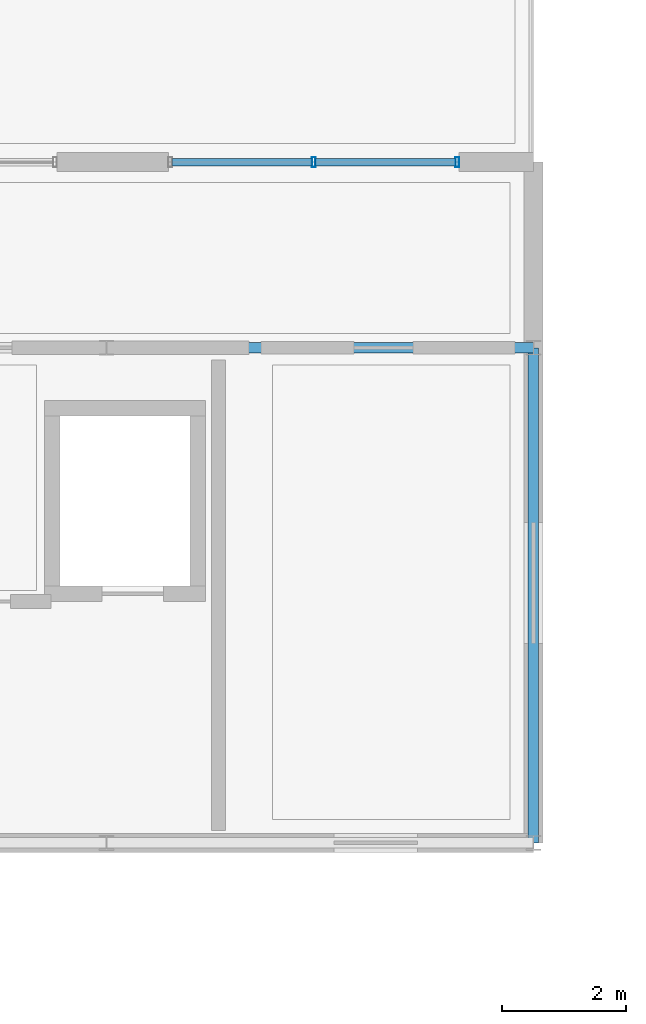
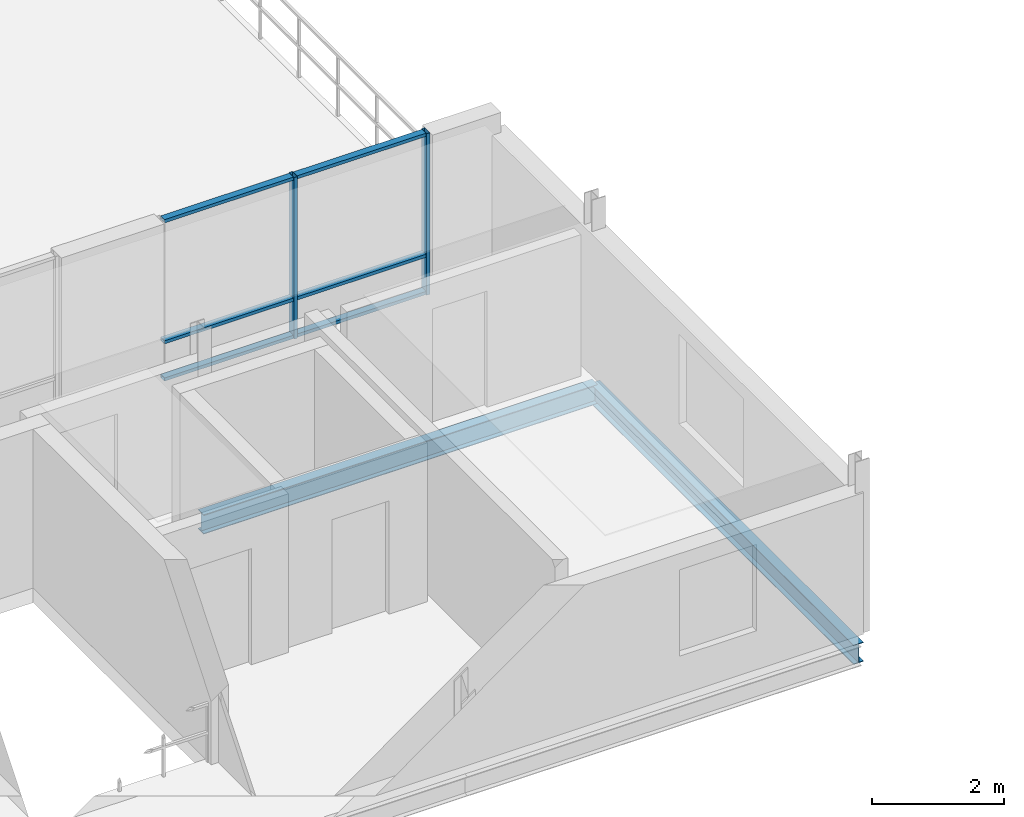
# One storey, part 17 of 109: 8 members, 2 beams, 1 element without a shape of its own.
"""IFC4 building model written with IfcOpenShell, lengths in metres."""

from ifc_helpers import new_model, si_unit, direction, frame, origin, origin_2d, place, context, subcontext, project, spatial, hollow_rectangle, i_section, extrude, material, material_profile, profile_set, type_object, element, aggregate, save


model = new_model("IFC4")

# Units and contexts
model_context = context("Model", 3, precision=1e-05, world=origin(), true_north=direction((0.0, 1.0)))
body_context = subcontext(model_context, "Body", "Model", "MODEL_VIEW")
ifc_project = project(units=[si_unit("LENGTHUNIT", "METRE"), si_unit("AREAUNIT", "SQUARE_METRE"), si_unit("VOLUMEUNIT", "CUBIC_METRE"), si_unit("PLANEANGLEUNIT", "RADIAN"), si_unit("MASSUNIT", "GRAM", prefix="KILO")], contexts=[model_context])

# Site, building, storey
site_placement = place(None, origin())
site = spatial("IfcSite", under=ifc_project, at=site_placement, CompositionType="ELEMENT")
building_placement = place(site_placement, origin())
building = spatial("IfcBuilding", under=site, at=building_placement, Name="Zavelmont Quarter", CompositionType="ELEMENT")
storey_placement = place(building_placement, frame((0.0, 0.0, 8.0)))
storey = spatial("IfcBuildingStorey", under=building, at=storey_placement, Name="L02", CompositionType="ELEMENT", Elevation=8.0)

# Beams
ifc_material_1 = material(Name="Steel S355", Category="steel")
ifc_material_profile_1 = material_profile(ifc_material_1, i_section(OverallWidth=0.169921875, OverallDepth=0.360107421875, WebThickness=0.008056640625, FlangeThickness=0.0126953125, at=origin_2d()), Name="IPE 360")
ifc_profile_set_1 = profile_set([ifc_material_profile_1], Name="Steel S355")
beam_type = type_object("IfcBeamType", Name="BM13", PredefinedType="BEAM", material=ifc_profile_set_1)
beam_1_placement = place(storey_placement, frame((13.800048828125, 38.0, -0.449951171875), z_axis=(1.0, 0.0, 0.0), x_axis=(0.0, 1.0, 0.0)))
element("IfcBeam", 1, at=beam_1_placement, inside=storey, type_object=beam_type, Name="L02 beam BM13 3/G to 4/G", PredefinedType="BEAM", context=body_context, shape_type="SweptSolid", body=[
    extrude(i_section(OverallWidth=0.169921875, OverallDepth=0.360107421875, WebThickness=0.008056640625, FlangeThickness=0.0126953125, at=origin_2d()), origin(), (0.0, 0.0, 1.0), 6.89990234375),
])
beam_2_placement = place(storey_placement, frame((20.699951171875, 30.0, -0.449951171875), z_axis=(0.0, 1.0, 0.0), x_axis=(-1.0, 0.0, 0.0)))
element("IfcBeam", 2, at=beam_2_placement, inside=storey, type_object=beam_type, Name="L02 beam BM13 4/F to 4/G", PredefinedType="BEAM", context=body_context, shape_type="SweptSolid", body=[
    extrude(i_section(OverallWidth=0.169921875, OverallDepth=0.360107421875, WebThickness=0.008056640625, FlangeThickness=0.0126953125, at=origin_2d()), origin(), (0.0, 0.0, 1.0), 8.0),
])

# Curtain wall, members
ifc_material_2 = material(Name="Thermally broken aluminium and double low-E safety glazing", Category="aluminium")
curtain_wall_type = type_object("IfcCurtainWallType", Name="CW-470X299", PredefinedType="NOTDEFINED", material=ifc_material_2)
curtain_wall_placement = place(storey_placement, origin())
curtain_wall = element("IfcCurtainWall", 3, at=curtain_wall_placement, inside=storey, type_object=curtain_wall_type, Name="L02 unitised curtain wall CW-470X299", PredefinedType="NOTDEFINED")
ifc_material_3 = material(Name="Powder-coated aluminium EN AW-6063-T6", Category="aluminium")
ifc_material_profile_2 = material_profile(ifc_material_3, hollow_rectangle(XDim=0.06005859375, YDim=0.159912109375, WallThickness=0.00390625, at=origin_2d()), Name="CWM60X160")
ifc_profile_set_2 = profile_set([ifc_material_profile_2], Name="Powder-coated aluminium EN AW-6063-T6")
member_type_1 = type_object("IfcMemberType", Name="CWM01", PredefinedType="MULLION", material=ifc_profile_set_2)
member_1_placement = place(storey_placement, frame((17.14990234375, 41.0, 0.0), z_axis=(0.0, 0.0, 1.0), x_axis=(1.0, 0.0, 0.0)))
member_1 = element("IfcMember", 4, at=member_1_placement, type_object=member_type_1, Name="CW-470X299 mullion 2", PredefinedType="MULLION", context=body_context, shape_type="SweptSolid", body=[
    extrude(hollow_rectangle(XDim=0.06005859375, YDim=0.159912109375, WallThickness=0.00390625, at=origin_2d()), origin(), (0.0, 0.0, 1.0), 2.989990234375),
])
member_2_placement = place(storey_placement, frame((19.469970703125, 41.0, 0.0), z_axis=(0.0, 0.0, 1.0), x_axis=(1.0, 0.0, 0.0)))
member_2 = element("IfcMember", 5, at=member_2_placement, type_object=member_type_1, Name="CW-470X299 mullion 3", PredefinedType="MULLION", context=body_context, shape_type="SweptSolid", body=[
    extrude(hollow_rectangle(XDim=0.06005859375, YDim=0.159912109375, WallThickness=0.00390625, at=origin_2d()), origin(), (0.0, 0.0, 1.0), 2.989990234375),
])
ifc_material_profile_3 = material_profile(ifc_material_3, hollow_rectangle(XDim=0.1201171875, YDim=0.06005859375, WallThickness=0.00390625, at=origin_2d()), Name="CWT60X120")
ifc_profile_set_3 = profile_set([ifc_material_profile_3], Name="Powder-coated aluminium EN AW-6063-T6")
member_type_2 = type_object("IfcMemberType", Name="CWT01", PredefinedType="NOTDEFINED", material=ifc_profile_set_3)
member_3_placement = place(storey_placement, frame((14.860107421875, 41.0, 0.030029296875), z_axis=(1.0, 0.0, 0.0), x_axis=(0.0, 1.0, 0.0)))
member_3 = element("IfcMember", 6, at=member_3_placement, type_object=member_type_2, Name="CW-470X299 transom 1.1", ObjectType="TRANSOM", PredefinedType="USERDEFINED", context=body_context, shape_type="SweptSolid", body=[
    extrude(hollow_rectangle(XDim=0.1201171875, YDim=0.06005859375, WallThickness=0.00390625, at=origin_2d()), origin(), (0.0, 0.0, 1.0), 2.260009765625),
])
member_4_placement = place(storey_placement, frame((14.860107421875, 41.0, 0.718017578125), z_axis=(1.0, 0.0, 0.0), x_axis=(0.0, 1.0, 0.0)))
member_4 = element("IfcMember", 7, at=member_4_placement, type_object=member_type_2, Name="CW-470X299 transom 1.2", ObjectType="TRANSOM", PredefinedType="USERDEFINED", context=body_context, shape_type="SweptSolid", body=[
    extrude(hollow_rectangle(XDim=0.1201171875, YDim=0.06005859375, WallThickness=0.00390625, at=origin_2d()), origin(), (0.0, 0.0, 1.0), 2.260009765625),
])
member_5_placement = place(storey_placement, frame((14.860107421875, 41.0, 2.9599609375), z_axis=(1.0, 0.0, 0.0), x_axis=(0.0, 1.0, 0.0)))
member_5 = element("IfcMember", 8, at=member_5_placement, type_object=member_type_2, Name="CW-470X299 transom 1.3", ObjectType="TRANSOM", PredefinedType="USERDEFINED", context=body_context, shape_type="SweptSolid", body=[
    extrude(hollow_rectangle(XDim=0.1201171875, YDim=0.06005859375, WallThickness=0.00390625, at=origin_2d()), origin(), (0.0, 0.0, 1.0), 2.260009765625),
])
member_6_placement = place(storey_placement, frame((17.179931640625, 41.0, 0.030029296875), z_axis=(1.0, 0.0, 0.0), x_axis=(0.0, 1.0, 0.0)))
member_6 = element("IfcMember", 9, at=member_6_placement, type_object=member_type_2, Name="CW-470X299 transom 2.1", ObjectType="TRANSOM", PredefinedType="USERDEFINED", context=body_context, shape_type="SweptSolid", body=[
    extrude(hollow_rectangle(XDim=0.1201171875, YDim=0.06005859375, WallThickness=0.00390625, at=origin_2d()), origin(), (0.0, 0.0, 1.0), 2.260009765625),
])
member_7_placement = place(storey_placement, frame((17.179931640625, 41.0, 0.718017578125), z_axis=(1.0, 0.0, 0.0), x_axis=(0.0, 1.0, 0.0)))
member_7 = element("IfcMember", 10, at=member_7_placement, type_object=member_type_2, Name="CW-470X299 transom 2.2", ObjectType="TRANSOM", PredefinedType="USERDEFINED", context=body_context, shape_type="SweptSolid", body=[
    extrude(hollow_rectangle(XDim=0.1201171875, YDim=0.06005859375, WallThickness=0.00390625, at=origin_2d()), origin(), (0.0, 0.0, 1.0), 2.260009765625),
])
member_8_placement = place(storey_placement, frame((17.179931640625, 41.0, 2.9599609375), z_axis=(1.0, 0.0, 0.0), x_axis=(0.0, 1.0, 0.0)))
member_8 = element("IfcMember", 11, at=member_8_placement, type_object=member_type_2, Name="CW-470X299 transom 2.3", ObjectType="TRANSOM", PredefinedType="USERDEFINED", context=body_context, shape_type="SweptSolid", body=[
    extrude(hollow_rectangle(XDim=0.1201171875, YDim=0.06005859375, WallThickness=0.00390625, at=origin_2d()), origin(), (0.0, 0.0, 1.0), 2.260009765625),
])
aggregate(curtain_wall, [member_1, member_2, member_3, member_4, member_5, member_6, member_7, member_8])

save(model, "model.ifc")
